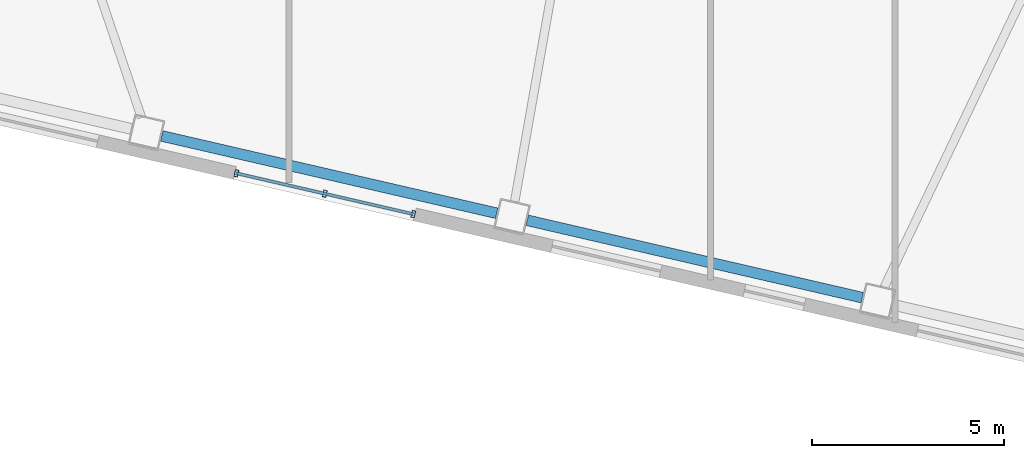
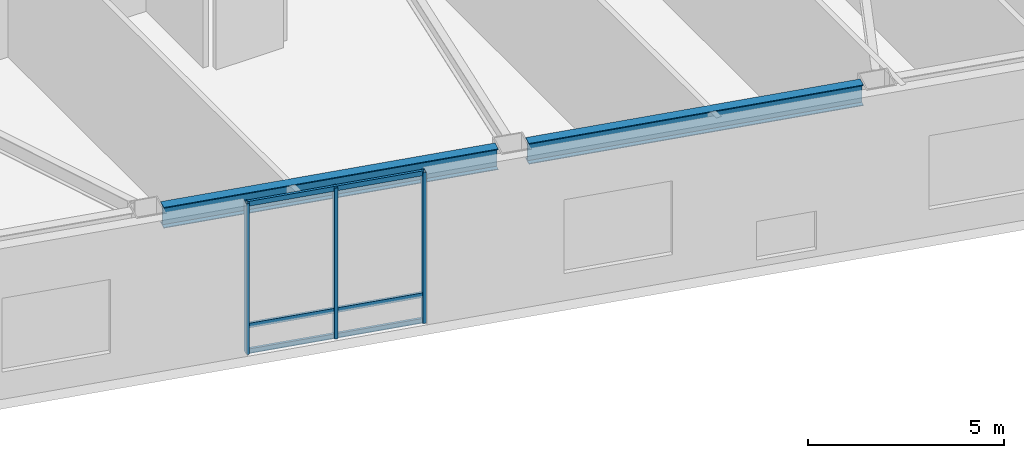
# One storey, part 4 of 20: 6 members, 2 beams, 1 element without a shape of its own.
"""IFC4 building model written with IfcOpenShell, lengths in metres."""

from ifc_helpers import new_model, si_unit, direction, frame, origin, origin_2d, place, context, subcontext, project, spatial, hollow_rectangle, i_section, extrude, material, layer, layer_set, material_profile, profile_set, type_object, element, aggregate, save


model = new_model("IFC4")

# Units and contexts
model_context = context("Model", 3, precision=1e-05, world=origin(), true_north=direction((0.0, 1.0)))
body_context = subcontext(model_context, "Body", "Model", "MODEL_VIEW")
ifc_project = project(units=[si_unit("LENGTHUNIT", "METRE"), si_unit("AREAUNIT", "SQUARE_METRE"), si_unit("VOLUMEUNIT", "CUBIC_METRE"), si_unit("PLANEANGLEUNIT", "RADIAN"), si_unit("MASSUNIT", "GRAM", prefix="KILO")], contexts=[model_context])

# Site, building, storey
site_placement = place(None, origin())
site = spatial("IfcSite", under=ifc_project, at=site_placement, CompositionType="ELEMENT")
building_placement = place(site_placement, origin())
building = spatial("IfcBuilding", under=site, at=building_placement, Name="Tavrogorsk Clinical Tower", CompositionType="ELEMENT")
storey_placement = place(building_placement, frame((0.0, 0.0, 18.39990234375)))
storey = spatial("IfcBuildingStorey", under=building, at=storey_placement, Name="L03", CompositionType="ELEMENT", Elevation=18.39990234375)

# Curtain wall, members
ifc_material_1 = material(Name="Anodised aluminium and triple IGU glazing", Category="aluminium")
ifc_layer = layer(ifc_material_1, 0.179931640625)
ifc_layer_set = layer_set([ifc_layer], Name="Anodised aluminium and triple IGU glazing")
curtain_wall_type = type_object("IfcCurtainWallType", Name="CW3_SouthSlot", PredefinedType="NOTDEFINED", material=ifc_layer_set)
curtain_wall_placement = place(storey_placement, origin())
curtain_wall = element("IfcCurtainWall", 1, at=curtain_wall_placement, inside=storey, type_object=curtain_wall_type, Name="L03 Curtain Wall CW-L03-S-SLOT-2", PredefinedType="NOTDEFINED")
ifc_material_2 = material(Name="Anodised aluminium alloy AW-6060", Category="aluminium")
ifc_material_profile_1 = material_profile(ifc_material_2, hollow_rectangle(XDim=0.090087890625, YDim=0.179931640625, WallThickness=0.00634765625, at=origin_2d()), Name="RHS-180x90x6.3")
ifc_profile_set_1 = profile_set([ifc_material_profile_1], Name="Anodised aluminium alloy AW-6060")
member_type_1 = type_object("IfcMemberType", Name="CwMullion_180x90", PredefinedType="MULLION", material=ifc_profile_set_1)
member_1_placement = place(storey_placement, frame((-0.92041015625, -28.240478515625, 0.0), z_axis=(0.0, 0.0, 1.0), x_axis=(0.974370102963, -0.224950888978, 0.0)))
member_1 = element("IfcMember", 2, at=member_1_placement, type_object=member_type_1, Name="CW-L03-S-SLOT-2 Mullion 1", PredefinedType="MULLION", context=body_context, shape_type="SweptSolid", body=[
    extrude(hollow_rectangle(XDim=0.090087890625, YDim=0.179931640625, WallThickness=0.00634765625, at=origin_2d()), origin(), (0.0, 0.0, 1.0), 4.7001953125),
])
member_2_placement = place(storey_placement, frame((1.378173828125, -28.771240234375, 0.0), z_axis=(0.0, 0.0, 1.0), x_axis=(0.974370102963, -0.224950888978, 0.0)))
member_2 = element("IfcMember", 3, at=member_2_placement, type_object=member_type_1, Name="CW-L03-S-SLOT-2 Mullion 2", PredefinedType="MULLION", context=body_context, shape_type="SweptSolid", body=[
    extrude(hollow_rectangle(XDim=0.090087890625, YDim=0.179931640625, WallThickness=0.00634765625, at=origin_2d()), origin(), (0.0, 0.0, 1.0), 4.7001953125),
])
member_3_placement = place(storey_placement, frame((3.6767578125, -29.3017578125, 0.0), z_axis=(0.0, 0.0, 1.0), x_axis=(0.974370102963, -0.224950888978, 0.0)))
member_3 = element("IfcMember", 4, at=member_3_placement, type_object=member_type_1, Name="CW-L03-S-SLOT-2 Mullion 3", PredefinedType="MULLION", context=body_context, shape_type="SweptSolid", body=[
    extrude(hollow_rectangle(XDim=0.090087890625, YDim=0.179931640625, WallThickness=0.00634765625, at=origin_2d()), origin(), (0.0, 0.0, 1.0), 4.7001953125),
])
ifc_material_3 = material(Name="Anodised aluminium alloy AW-6060", Category="aluminium")
ifc_material_profile_2 = material_profile(ifc_material_3, hollow_rectangle(XDim=0.074951171875, YDim=0.14990234375, WallThickness=0.0048828125, at=origin_2d()), Name="RHS-150x75x5")
ifc_profile_set_2 = profile_set([ifc_material_profile_2], Name="Anodised aluminium alloy AW-6060")
member_type_2 = type_object("IfcMemberType", Name="CwTransom_150x75", PredefinedType="USERDEFINED", material=ifc_profile_set_2)
member_4_placement = place(storey_placement, frame((-0.92041015625, -28.240478515625, 0.050048828125), z_axis=(0.974372877948, -0.22493886885, 0.0), x_axis=(0.22493886885, 0.974372877948, 0.0)))
member_4 = element("IfcMember", 5, at=member_4_placement, type_object=member_type_2, Name="CW-L03-S-SLOT-2 Transom 1", ObjectType="TRANSOM", PredefinedType="USERDEFINED", context=body_context, shape_type="SweptSolid", body=[
    extrude(hollow_rectangle(XDim=0.074951171875, YDim=0.14990234375, WallThickness=0.0048828125, at=origin_2d()), origin(), (0.0, 0.0, 1.0), 4.718017578125),
])
member_5_placement = place(storey_placement, frame((-0.92041015625, -28.240478515625, 0.85009765625), z_axis=(0.974372877948, -0.22493886885, 0.0), x_axis=(0.22493886885, 0.974372877948, 0.0)))
member_5 = element("IfcMember", 6, at=member_5_placement, type_object=member_type_2, Name="CW-L03-S-SLOT-2 Transom 2", ObjectType="TRANSOM", PredefinedType="USERDEFINED", context=body_context, shape_type="SweptSolid", body=[
    extrude(hollow_rectangle(XDim=0.074951171875, YDim=0.14990234375, WallThickness=0.0048828125, at=origin_2d()), origin(), (0.0, 0.0, 1.0), 4.718017578125),
])
member_6_placement = place(storey_placement, frame((-0.92041015625, -28.240478515625, 4.650146484375), z_axis=(0.974372877948, -0.22493886885, 0.0), x_axis=(0.22493886885, 0.974372877948, 0.0)))
member_6 = element("IfcMember", 7, at=member_6_placement, type_object=member_type_2, Name="CW-L03-S-SLOT-2 Transom 3", ObjectType="TRANSOM", PredefinedType="USERDEFINED", context=body_context, shape_type="SweptSolid", body=[
    extrude(hollow_rectangle(XDim=0.074951171875, YDim=0.14990234375, WallThickness=0.0048828125, at=origin_2d()), origin(), (0.0, 0.0, 1.0), 4.718017578125),
])
aggregate(curtain_wall, [member_1, member_2, member_3, member_4, member_5, member_6])

# Beams
ifc_material_4 = material(Name="Structural steel S390", Category="steel")
ifc_material_profile_3 = material_profile(ifc_material_4, i_section(OverallWidth=0.280029296875, OverallDepth=0.64990234375, WebThickness=0.01611328125, FlangeThickness=0.02490234375, at=origin_2d()), Name="B-650x280x16x25")
ifc_profile_set_3 = profile_set([ifc_material_profile_3], Name="Structural steel S390")
beam_type = type_object("IfcBeamType", Name="SpandrelBeam_B650", PredefinedType="SPANDREL", material=ifc_profile_set_3)
for number, where, z_axis, x_axis, name in (
    (8, (-2.85888671875, -27.26953125, 4.375), (0.974372766602, -0.224939351168, 0.0), (0.224939351168, 0.974372766602, 0.0), "L03 Perimeter Spandrel S5-S6"),
    (9, (6.639892578125, -29.46240234375, 4.375), (0.974366775889, -0.224965299645, 0.0), (0.224965299645, 0.974366775889, 0.0), "L03 Perimeter Spandrel S6-S7"),
):
    element("IfcBeam", number, at=place(storey_placement, frame(where, z_axis=z_axis, x_axis=x_axis)), inside=storey, type_object=beam_type, Name=name, PredefinedType="SPANDREL", context=body_context, shape_type="SweptSolid", body=[
        extrude(i_section(OverallWidth=0.280029296875, OverallDepth=0.64990234375, WebThickness=0.01611328125, FlangeThickness=0.02490234375, at=origin_2d()), origin(), (0.0, 0.0, 1.0), 8.9326171875),
    ])

save(model, "model.ifc")
